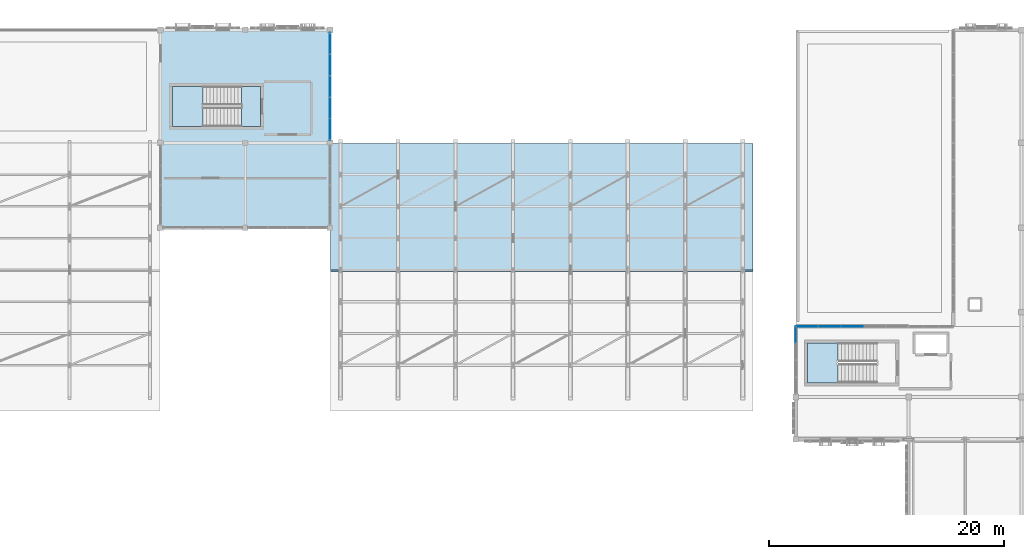
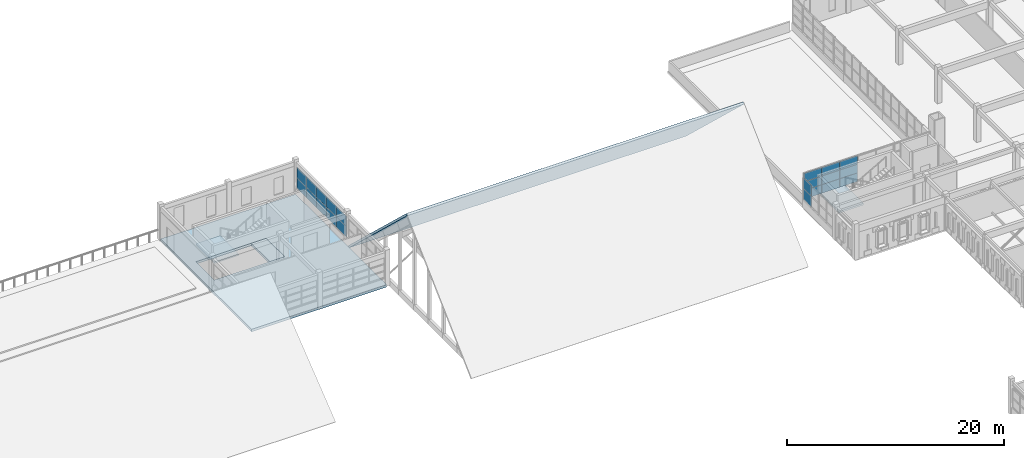
# One storey, part 37 of 79: 21 plates, 5 slabs, 5 elements without a shape of their own.
"""IFC4 building model written with IfcOpenShell, lengths in metres."""

from ifc_helpers import new_model, si_unit, direction, frame, origin, origin_2d, place, context, subcontext, project, spatial, polyline, rectangle, outline, extrude, material, layer, layer_set, type_object, element, aggregate, save


model = new_model("IFC4")

# Units and contexts
model_context = context("Model", 3, precision=1e-05, world=origin(), true_north=direction((0.0, 1.0)))
body_context = subcontext(model_context, "Body", "Model", "MODEL_VIEW")
ifc_project = project(units=[si_unit("LENGTHUNIT", "METRE"), si_unit("AREAUNIT", "SQUARE_METRE"), si_unit("VOLUMEUNIT", "CUBIC_METRE"), si_unit("PLANEANGLEUNIT", "RADIAN"), si_unit("MASSUNIT", "GRAM", prefix="KILO")], contexts=[model_context])

# Site, building, storey
site_placement = place(None, origin())
site = spatial("IfcSite", under=ifc_project, at=site_placement, CompositionType="ELEMENT")
building_placement = place(site_placement, origin())
building = spatial("IfcBuilding", under=site, at=building_placement, Name="Nzembalo Square Collegiate School", CompositionType="ELEMENT")
storey_placement = place(building_placement, frame((0.0, 0.0, 9.52001953125)))
storey = spatial("IfcBuildingStorey", under=building, at=storey_placement, Name="L02", CompositionType="ELEMENT", Elevation=9.52001953125)

# Curtain wall, plates
ifc_material_1 = material(Name="Aluminium 6060-T66", Category="aluminium")
curtain_wall_type_1 = type_object("IfcCurtainWallType", Name="CW-09", PredefinedType="USERDEFINED", material=ifc_material_1)
curtain_wall_1_placement = place(storey_placement, origin())
curtain_wall_1 = element("IfcCurtainWall", 1, at=curtain_wall_1_placement, inside=storey, type_object=curtain_wall_type_1, Name="Curtain wall CW-09 cw:L02:100", ObjectType="UNITISED", PredefinedType="USERDEFINED")
ifc_material_2 = material(Name="Laminated solar-control double glazing", Category="glass")
ifc_layer_1 = layer(ifc_material_2, 0.028076171875, Name="Laminated solar-control double glazing")
ifc_layer_set_1 = layer_set([ifc_layer_1], Name="Laminated solar-control double glazing")
plate_type_1 = type_object("IfcPlateType", Name="PN01", PredefinedType="CURTAIN_PANEL", material=ifc_layer_set_1)
plate_1_placement = place(storey_placement, frame((131.760009765625, 88.800048828125, 0.85400390625), z_axis=(0.0, 0.0, 1.0), x_axis=(1.0, 0.0, 0.0)))
plate_1 = element("IfcPlate", 2, at=plate_1_placement, type_object=plate_type_1, Name="PN01 glazed panel 1-1", PredefinedType="CURTAIN_PANEL", context=body_context, shape_type="SweptSolid", body=[
    extrude(rectangle(XDim=1.912109375, YDim=0.028076171875, at=origin_2d()), origin(), (0.0, 0.0, 1.0), 0.966552734375),
])
plate_2_placement = place(storey_placement, frame((133.679931640625, 88.800048828125, 0.85400390625), z_axis=(0.0, 0.0, 1.0), x_axis=(1.0, 0.0, 0.0)))
plate_2 = element("IfcPlate", 3, at=plate_2_placement, type_object=plate_type_1, Name="PN01 glazed panel 1-2", PredefinedType="CURTAIN_PANEL", context=body_context, shape_type="SweptSolid", body=[
    extrude(rectangle(XDim=1.912109375, YDim=0.028076171875, at=origin_2d()), origin(), (0.0, 0.0, 1.0), 0.966552734375),
])
plate_3_placement = place(storey_placement, frame((135.60009765625, 88.800048828125, 0.85400390625), z_axis=(0.0, 0.0, 1.0), x_axis=(1.0, 0.0, 0.0)))
plate_3 = element("IfcPlate", 4, at=plate_3_placement, type_object=plate_type_1, Name="PN01 glazed panel 1-3", PredefinedType="CURTAIN_PANEL", context=body_context, shape_type="SweptSolid", body=[
    extrude(rectangle(XDim=1.912109375, YDim=0.028076171875, at=origin_2d()), origin(), (0.0, 0.0, 1.0), 0.966552734375),
])
plate_4_placement = place(storey_placement, frame((131.760009765625, 88.800048828125, 1.82861328125), z_axis=(0.0, 0.0, 1.0), x_axis=(1.0, 0.0, 0.0)))
plate_4 = element("IfcPlate", 5, at=plate_4_placement, type_object=plate_type_1, Name="PN01 glazed panel 2-1", PredefinedType="CURTAIN_PANEL", context=body_context, shape_type="SweptSolid", body=[
    extrude(rectangle(XDim=1.912109375, YDim=0.028076171875, at=origin_2d()), origin(), (0.0, 0.0, 1.0), 0.966552734375),
])
plate_5_placement = place(storey_placement, frame((133.679931640625, 88.800048828125, 1.82861328125), z_axis=(0.0, 0.0, 1.0), x_axis=(1.0, 0.0, 0.0)))
plate_5 = element("IfcPlate", 6, at=plate_5_placement, type_object=plate_type_1, Name="PN01 glazed panel 2-2", PredefinedType="CURTAIN_PANEL", context=body_context, shape_type="SweptSolid", body=[
    extrude(rectangle(XDim=1.912109375, YDim=0.028076171875, at=origin_2d()), origin(), (0.0, 0.0, 1.0), 0.966552734375),
])
plate_6_placement = place(storey_placement, frame((135.60009765625, 88.800048828125, 1.82861328125), z_axis=(0.0, 0.0, 1.0), x_axis=(1.0, 0.0, 0.0)))
plate_6 = element("IfcPlate", 7, at=plate_6_placement, type_object=plate_type_1, Name="PN01 glazed panel 2-3", PredefinedType="CURTAIN_PANEL", context=body_context, shape_type="SweptSolid", body=[
    extrude(rectangle(XDim=1.912109375, YDim=0.028076171875, at=origin_2d()), origin(), (0.0, 0.0, 1.0), 0.966552734375),
])
plate_7_placement = place(storey_placement, frame((131.760009765625, 88.800048828125, 2.80322265625), z_axis=(0.0, 0.0, 1.0), x_axis=(1.0, 0.0, 0.0)))
plate_7 = element("IfcPlate", 8, at=plate_7_placement, type_object=plate_type_1, Name="PN01 glazed panel 3-1", PredefinedType="CURTAIN_PANEL", context=body_context, shape_type="SweptSolid", body=[
    extrude(rectangle(XDim=1.912109375, YDim=0.028076171875, at=origin_2d()), origin(), (0.0, 0.0, 1.0), 0.966552734375),
])
plate_8_placement = place(storey_placement, frame((133.679931640625, 88.800048828125, 2.80322265625), z_axis=(0.0, 0.0, 1.0), x_axis=(1.0, 0.0, 0.0)))
plate_8 = element("IfcPlate", 9, at=plate_8_placement, type_object=plate_type_1, Name="PN01 glazed panel 3-2", PredefinedType="CURTAIN_PANEL", context=body_context, shape_type="SweptSolid", body=[
    extrude(rectangle(XDim=1.912109375, YDim=0.028076171875, at=origin_2d()), origin(), (0.0, 0.0, 1.0), 0.966552734375),
])
plate_9_placement = place(storey_placement, frame((135.60009765625, 88.800048828125, 2.80322265625), z_axis=(0.0, 0.0, 1.0), x_axis=(1.0, 0.0, 0.0)))
plate_9 = element("IfcPlate", 10, at=plate_9_placement, type_object=plate_type_1, Name="PN01 glazed panel 3-3", PredefinedType="CURTAIN_PANEL", context=body_context, shape_type="SweptSolid", body=[
    extrude(rectangle(XDim=1.912109375, YDim=0.028076171875, at=origin_2d()), origin(), (0.0, 0.0, 1.0), 0.966552734375),
])
aggregate(curtain_wall_1, [plate_1, plate_2, plate_3, plate_4, plate_5, plate_6, plate_7, plate_8, plate_9])

ifc_material_3 = material(Name="Aluminium 6060-T66", Category="aluminium")
curtain_wall_type_2 = type_object("IfcCurtainWallType", Name="CW-04", PredefinedType="USERDEFINED", material=ifc_material_3)
curtain_wall_2_placement = place(storey_placement, origin())
curtain_wall_2 = element("IfcCurtainWall", 11, at=curtain_wall_2_placement, inside=storey, type_object=curtain_wall_type_2, Name="Curtain wall CW-04 cw:L02:099", ObjectType="UNITISED", PredefinedType="USERDEFINED")
ifc_material_4 = material(Name="Acoustic laminated solar-control glazing", Category="glass")
ifc_layer_2 = layer(ifc_material_4, 0.031982421875, Name="Acoustic laminated solar-control glazing")
ifc_layer_set_2 = layer_set([ifc_layer_2], Name="Acoustic laminated solar-control glazing")
plate_type_2 = type_object("IfcPlateType", Name="PN02", PredefinedType="CURTAIN_PANEL", material=ifc_layer_set_2)
plate_10_placement = place(storey_placement, frame((130.800048828125, 88.080322265625, 0.85400390625), z_axis=(0.0, 0.0, 1.0), x_axis=(0.0, 1.0, 0.0)))
plate_10 = element("IfcPlate", 12, at=plate_10_placement, type_object=plate_type_2, Name="PN02 glazed panel 1-4", PredefinedType="CURTAIN_PANEL", context=body_context, shape_type="SweptSolid", body=[
    extrude(rectangle(XDim=1.431396484375, YDim=0.031982421875, at=origin_2d()), origin(), (0.0, 0.0, 1.0), 1.216552734375),
])
plate_11_placement = place(storey_placement, frame((130.800048828125, 88.080322265625, 2.07861328125), z_axis=(0.0, 0.0, 1.0), x_axis=(0.0, 1.0, 0.0)))
plate_11 = element("IfcPlate", 13, at=plate_11_placement, type_object=plate_type_2, Name="PN02 glazed panel 2-4", PredefinedType="CURTAIN_PANEL", context=body_context, shape_type="SweptSolid", body=[
    extrude(rectangle(XDim=1.431396484375, YDim=0.031982421875, at=origin_2d()), origin(), (0.0, 0.0, 1.0), 1.216552734375),
])
aggregate(curtain_wall_2, [plate_10, plate_11])

ifc_material_5 = material(Name="Aluminium 6060-T66", Category="aluminium")
curtain_wall_type_3 = type_object("IfcCurtainWallType", Name="CW-12", PredefinedType="USERDEFINED", material=ifc_material_5)
curtain_wall_3_placement = place(storey_placement, origin())
curtain_wall_3 = element("IfcCurtainWall", 14, at=curtain_wall_3_placement, inside=storey, type_object=curtain_wall_type_3, Name="Curtain wall CW-12 cw:L02:111", ObjectType="LANCET", PredefinedType="USERDEFINED")
plate_12_placement = place(storey_placement, frame((91.199951171875, 105.5537109375, 0.85400390625), z_axis=(0.0, 0.0, 1.0), x_axis=(0.0, 1.0, 0.0)))
plate_12 = element("IfcPlate", 15, at=plate_12_placement, type_object=plate_type_2, Name="PN02 glazed panel 1-1", PredefinedType="CURTAIN_PANEL", context=body_context, shape_type="SweptSolid", body=[
    extrude(rectangle(XDim=1.815185546875, YDim=0.031982421875, at=origin_2d()), origin(), (0.0, 0.0, 1.0), 1.176513671875),
])
plate_13_placement = place(storey_placement, frame((91.199951171875, 107.376708984375, 0.85400390625), z_axis=(0.0, 0.0, 1.0), x_axis=(0.0, 1.0, 0.0)))
plate_13 = element("IfcPlate", 16, at=plate_13_placement, type_object=plate_type_2, Name="PN02 glazed panel 1-2", PredefinedType="CURTAIN_PANEL", context=body_context, shape_type="SweptSolid", body=[
    extrude(rectangle(XDim=1.815185546875, YDim=0.031982421875, at=origin_2d()), origin(), (0.0, 0.0, 1.0), 1.176513671875),
])
plate_14_placement = place(storey_placement, frame((91.199951171875, 109.199951171875, 0.85400390625), z_axis=(0.0, 0.0, 1.0), x_axis=(0.0, 1.0, 0.0)))
plate_14 = element("IfcPlate", 17, at=plate_14_placement, type_object=plate_type_2, Name="PN02 glazed panel 1-3", PredefinedType="CURTAIN_PANEL", context=body_context, shape_type="SweptSolid", body=[
    extrude(rectangle(XDim=1.815185546875, YDim=0.031982421875, at=origin_2d()), origin(), (0.0, 0.0, 1.0), 1.176513671875),
])
plate_15_placement = place(storey_placement, frame((91.199951171875, 111.023193359375, 0.85400390625), z_axis=(0.0, 0.0, 1.0), x_axis=(0.0, 1.0, 0.0)))
plate_15 = element("IfcPlate", 18, at=plate_15_placement, type_object=plate_type_2, Name="PN02 glazed panel 1-4", PredefinedType="CURTAIN_PANEL", context=body_context, shape_type="SweptSolid", body=[
    extrude(rectangle(XDim=1.815185546875, YDim=0.031982421875, at=origin_2d()), origin(), (0.0, 0.0, 1.0), 1.176513671875),
])
plate_16_placement = place(storey_placement, frame((91.199951171875, 112.846435546875, 0.85400390625), z_axis=(0.0, 0.0, 1.0), x_axis=(0.0, 1.0, 0.0)))
plate_16 = element("IfcPlate", 19, at=plate_16_placement, type_object=plate_type_2, Name="PN02 glazed panel 1-5", PredefinedType="CURTAIN_PANEL", context=body_context, shape_type="SweptSolid", body=[
    extrude(rectangle(XDim=1.815185546875, YDim=0.031982421875, at=origin_2d()), origin(), (0.0, 0.0, 1.0), 1.176513671875),
])
plate_17_placement = place(storey_placement, frame((91.199951171875, 105.5537109375, 2.03857421875), z_axis=(0.0, 0.0, 1.0), x_axis=(0.0, 1.0, 0.0)))
plate_17 = element("IfcPlate", 20, at=plate_17_placement, type_object=plate_type_2, Name="PN02 glazed panel 2-1", PredefinedType="CURTAIN_PANEL", context=body_context, shape_type="SweptSolid", body=[
    extrude(rectangle(XDim=1.815185546875, YDim=0.031982421875, at=origin_2d()), origin(), (0.0, 0.0, 1.0), 1.176513671875),
])
plate_18_placement = place(storey_placement, frame((91.199951171875, 107.376708984375, 2.03857421875), z_axis=(0.0, 0.0, 1.0), x_axis=(0.0, 1.0, 0.0)))
plate_18 = element("IfcPlate", 21, at=plate_18_placement, type_object=plate_type_2, Name="PN02 glazed panel 2-2", PredefinedType="CURTAIN_PANEL", context=body_context, shape_type="SweptSolid", body=[
    extrude(rectangle(XDim=1.815185546875, YDim=0.031982421875, at=origin_2d()), origin(), (0.0, 0.0, 1.0), 1.176513671875),
])
plate_19_placement = place(storey_placement, frame((91.199951171875, 109.199951171875, 2.03857421875), z_axis=(0.0, 0.0, 1.0), x_axis=(0.0, 1.0, 0.0)))
plate_19 = element("IfcPlate", 22, at=plate_19_placement, type_object=plate_type_2, Name="PN02 glazed panel 2-3", PredefinedType="CURTAIN_PANEL", context=body_context, shape_type="SweptSolid", body=[
    extrude(rectangle(XDim=1.815185546875, YDim=0.031982421875, at=origin_2d()), origin(), (0.0, 0.0, 1.0), 1.176513671875),
])
plate_20_placement = place(storey_placement, frame((91.199951171875, 111.023193359375, 2.03857421875), z_axis=(0.0, 0.0, 1.0), x_axis=(0.0, 1.0, 0.0)))
plate_20 = element("IfcPlate", 23, at=plate_20_placement, type_object=plate_type_2, Name="PN02 glazed panel 2-4", PredefinedType="CURTAIN_PANEL", context=body_context, shape_type="SweptSolid", body=[
    extrude(rectangle(XDim=1.815185546875, YDim=0.031982421875, at=origin_2d()), origin(), (0.0, 0.0, 1.0), 1.176513671875),
])
plate_21_placement = place(storey_placement, frame((91.199951171875, 112.846435546875, 2.03857421875), z_axis=(0.0, 0.0, 1.0), x_axis=(0.0, 1.0, 0.0)))
plate_21 = element("IfcPlate", 24, at=plate_21_placement, type_object=plate_type_2, Name="PN02 glazed panel 2-5", PredefinedType="CURTAIN_PANEL", context=body_context, shape_type="SweptSolid", body=[
    extrude(rectangle(XDim=1.815185546875, YDim=0.031982421875, at=origin_2d()), origin(), (0.0, 0.0, 1.0), 1.176513671875),
])
aggregate(curtain_wall_3, [plate_12, plate_13, plate_14, plate_15, plate_16, plate_17, plate_18, plate_19, plate_20, plate_21])

# Stair, slab
ifc_material_6 = material(Name="Precast concrete C40/50", Category="concrete")
stair_type = type_object("IfcStairType", Name="ST-24R", PredefinedType="HALF_TURN_STAIR", material=ifc_material_6)
stair_1_placement = place(storey_placement, origin())
stair_1 = element("IfcStair", 25, at=stair_1_placement, inside=storey, type_object=stair_type, Name="Escape stair ST-12 (C3 L02)", PredefinedType="HALF_TURN_STAIR")
ifc_material_7 = material(Name="Precast concrete C40/50", Category="concrete")
ifc_layer_3 = layer(ifc_material_7, 0.199951171875, Name="Precast concrete C40/50")
ifc_layer_set_3 = layer_set([ifc_layer_3], Name="Precast concrete C40/50")
slab_type_1 = type_object("IfcSlabType", Name="SL-LDG", PredefinedType="LANDING", material=ifc_layer_set_3)
slab_1_placement = place(storey_placement, frame((0.0, 0.0, 1.840087890625)))
slab_1 = element("IfcSlab", 26, at=slab_1_placement, type_object=slab_type_1, Name="ST-12 landing 1", PredefinedType="LANDING", context=body_context, shape_type="SweptSolid", body=[
    extrude(outline(polyline([(80.39990234375, 109.199951171875), (77.800048828125, 109.199951171875), (77.800048828125, 105.800048828125), (80.39990234375, 105.800048828125), (80.39990234375, 109.199951171875)])), origin(), (0.0, 0.0, 1.0), 0.199951171875),
])
aggregate(stair_1, [slab_1])

stair_2_placement = place(storey_placement, origin())
stair_2 = element("IfcStair", 27, at=stair_2_placement, inside=storey, type_object=stair_type, Name="Escape stair ST-15 (C4 L02)", PredefinedType="HALF_TURN_STAIR")
slab_2_placement = place(storey_placement, frame((0.0, 0.0, 1.840087890625)))
slab_2 = element("IfcSlab", 28, at=slab_2_placement, type_object=slab_type_1, Name="ST-15 landing 1", PredefinedType="LANDING", context=body_context, shape_type="SweptSolid", body=[
    extrude(outline(polyline([(134.39990234375, 87.39990234375), (131.800048828125, 87.39990234375), (131.800048828125, 84.0), (134.39990234375, 84.0), (134.39990234375, 87.39990234375)])), origin(), (0.0, 0.0, 1.0), 0.199951171875),
])
aggregate(stair_2, [slab_2])

# Slabs
ifc_material_8 = material(Name="CLT CL24", Category="wood")
ifc_layer_4 = layer(ifc_material_8, 0.219970703125, Name="CLT CL24")
ifc_layer_set_4 = layer_set([ifc_layer_4], Name="CLT CL24")
slab_type_2 = type_object("IfcSlabType", Name="RS-P22", PredefinedType="ROOF", material=ifc_layer_set_4)
slab_3_placement = place(storey_placement, frame((91.239990234375, 93.60009765625, 10.199951171875), z_axis=(0.0, 0.686619173552, 0.727017269747), x_axis=(1.0, 0.0, 0.0)))
element("IfcSlab", 29, at=slab_3_placement, inside=storey, type_object=slab_type_2, Name="Assembly Hall Roof N slope RS-AH1-N", PredefinedType="ROOF", context=body_context, shape_type="SweptSolid", body=[
    extrude(outline(polyline([(0.0, 0.0), (35.919921875, 0.0), (35.919921875, 14.800212062866134), (0.0, 14.800212062866134), (0.0, 0.0)])), origin(), (0.0, 0.0, -1.0), 0.219970703125),
])
ifc_material_9 = material(Name="CLT CL24", Category="wood")
ifc_layer_5 = layer(ifc_material_9, 0.278076171875, Name="CLT CL24")
ifc_layer_set_5 = layer_set([ifc_layer_5], Name="CLT CL24")
slab_type_3 = type_object("IfcSlabType", Name="SL-02", PredefinedType="FLOOR", material=ifc_layer_set_5)
slab_4_placement = place(storey_placement, frame((0.0, 0.0, -0.278076171875)))
element("IfcSlab", 30, at=slab_4_placement, inside=storey, type_object=slab_type_3, Name="Slab SL-L02-56", PredefinedType="FLOOR", context=body_context, shape_type="SweptSolid", body=[
    extrude(outline(polyline([(76.800048828125, 97.199951171875), (91.199951171875, 97.199951171875), (91.199951171875, 114.0), (76.800048828125, 114.0), (76.800048828125, 97.199951171875)]), holes=[polyline([(85.300048828125, 109.199951171875), (77.800048828125, 109.199951171875), (77.800048828125, 105.800048828125), (85.300048828125, 105.800048828125), (85.300048828125, 109.199951171875)])]), origin(), (0.0, 0.0, 1.0), 0.278076171875),
])
slab_5_placement = place(storey_placement, frame((0.0, 0.0, -0.278076171875)))
element("IfcSlab", 31, at=slab_5_placement, inside=storey, type_object=slab_type_3, Name="Core C3 floor landing slab SL-L02-C3", PredefinedType="FLOOR", context=body_context, shape_type="SweptSolid", body=[
    extrude(outline(polyline([(83.699951171875, 105.800048828125), (85.300048828125, 105.800048828125), (85.300048828125, 109.199951171875), (83.699951171875, 109.199951171875), (83.699951171875, 105.800048828125)])), origin(), (0.0, 0.0, 1.0), 0.278076171875),
])

save(model, "model.ifc")
